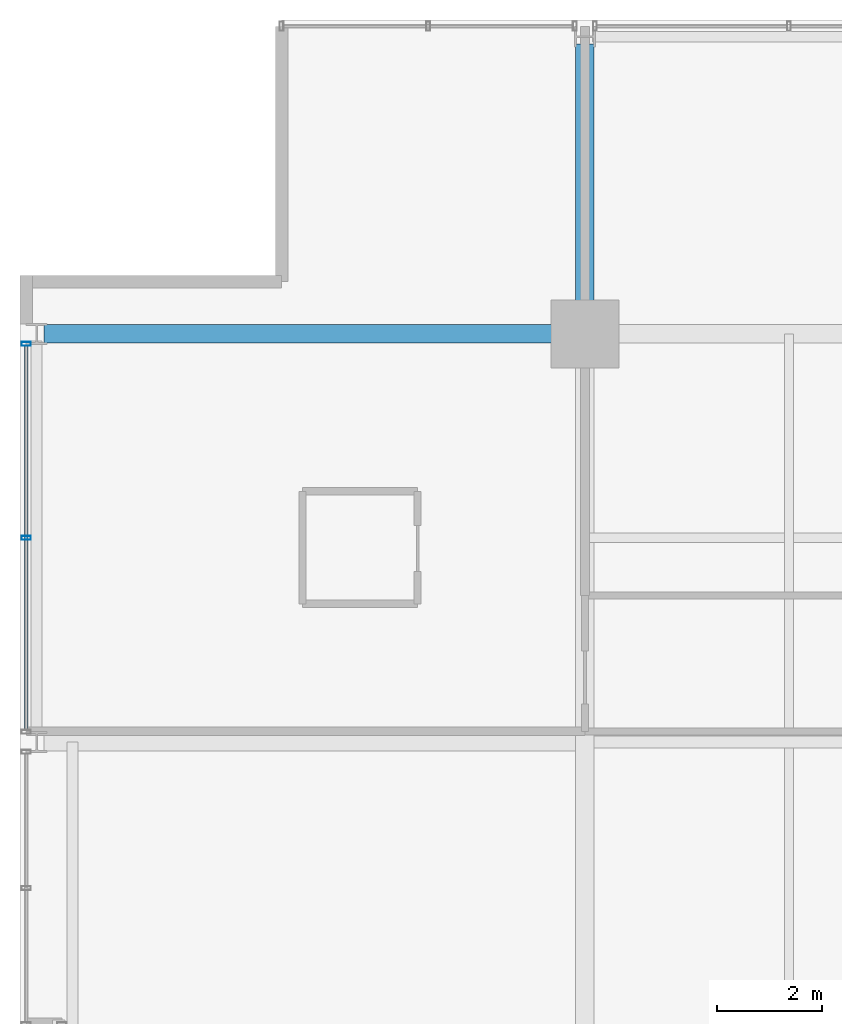
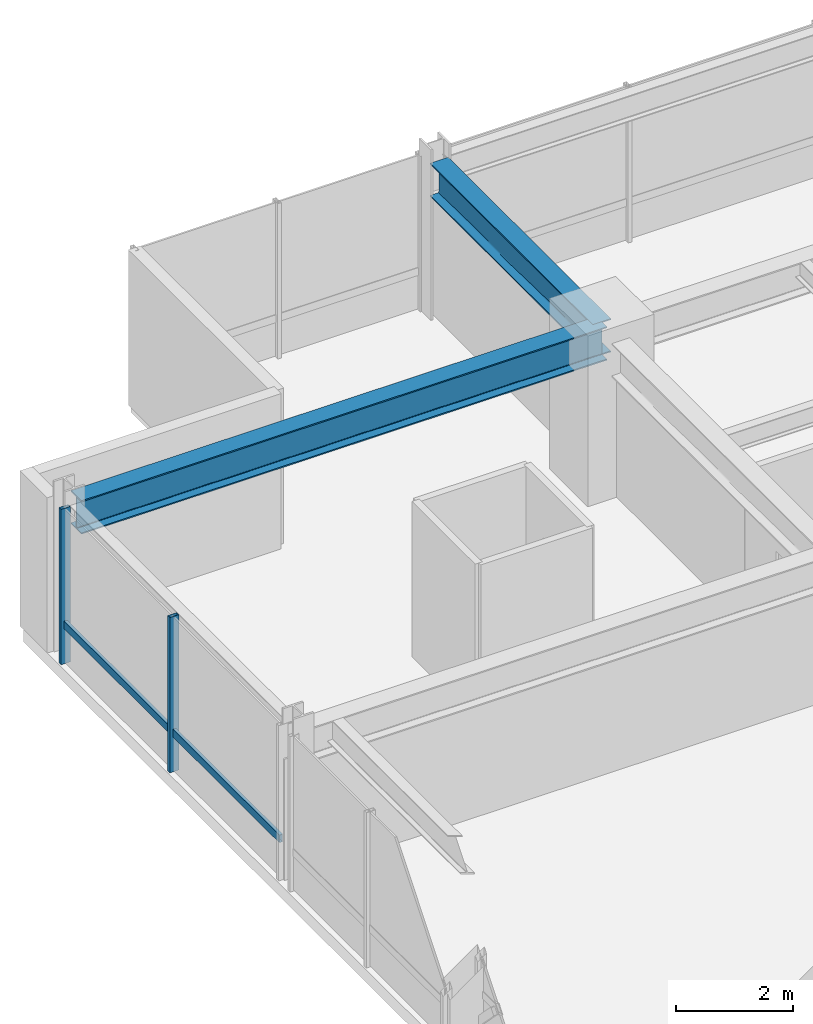
# One storey, part 18 of 33: 3 members, 2 beams, 1 element without a shape of its own.
"""IFC4 building model written with IfcOpenShell, lengths in metres."""

from ifc_helpers import new_model, si_unit, direction, frame, origin, origin_2d, place, context, subcontext, project, spatial, hollow_rectangle, i_section, extrude, material, layer, layer_set, material_profile, profile_set, type_object, element, aggregate, save


model = new_model("IFC4")

# Units and contexts
model_context = context("Model", 3, precision=1e-05, world=origin(), true_north=direction((0.0, 1.0)))
body_context = subcontext(model_context, "Body", "Model", "MODEL_VIEW")
ifc_project = project(units=[si_unit("LENGTHUNIT", "METRE"), si_unit("AREAUNIT", "SQUARE_METRE"), si_unit("VOLUMEUNIT", "CUBIC_METRE"), si_unit("PLANEANGLEUNIT", "RADIAN"), si_unit("MASSUNIT", "GRAM", prefix="KILO")], contexts=[model_context])

# Site, building, storey
site_placement = place(None, origin())
site = spatial("IfcSite", under=ifc_project, at=site_placement, CompositionType="ELEMENT")
building_placement = place(site_placement, origin())
building = spatial("IfcBuilding", under=site, at=building_placement, Name="Drelvath Grand Hotel", CompositionType="ELEMENT")
storey_placement = place(building_placement, frame((0.0, 0.0, 196.550048828125)))
storey = spatial("IfcBuildingStorey", under=building, at=storey_placement, Name="L51", CompositionType="ELEMENT", Elevation=196.550048828125)

# Curtain wall, members
ifc_material_1 = material(Name="Brushed Pale-Silver Anodised Aluminium Frame", Category="aluminium")
ifc_layer = layer(ifc_material_1, 0.199951171875)
ifc_layer_set = layer_set([ifc_layer], Name="Brushed Pale-Silver Anodised Aluminium Frame")
curtain_wall_type = type_object("IfcCurtainWallType", Name="Stick Curtain Wall CW-04 Brushed Silver Upper-Mid", PredefinedType="NOTDEFINED", material=ifc_layer_set)
curtain_wall_placement = place(storey_placement, origin())
curtain_wall = element("IfcCurtainWall", 1, at=curtain_wall_placement, inside=storey, type_object=curtain_wall_type, Name="L51 CW-04 Curtain Wall CW04-L51-WN2", PredefinedType="NOTDEFINED")
ifc_material_profile_1 = material_profile(ifc_material_1, hollow_rectangle(XDim=0.06494140625, YDim=0.159912109375, WallThickness=0.00390625, at=origin_2d()), Name="HSS160X65X4")
ifc_profile_set_1 = profile_set([ifc_material_profile_1], Name="Brushed Pale-Silver Anodised Aluminium Frame")
member_type_1 = type_object("IfcMemberType", Name="Curtain Wall Horizontal Transom CW-04 HSS160X65X4", PredefinedType="USERDEFINED", material=ifc_profile_set_1)
member_1_placement = place(storey_placement, frame((-26.8798828125, 35.631591796875, 0.807373046875), z_axis=(0.0, 1.0, 0.0), x_axis=(-1.0, 0.0, 0.0)))
member_1 = element("IfcMember", 2, at=member_1_placement, type_object=member_type_1, Name="CW04-L51-WN2 Sill Transom", ObjectType="TRANSOM", PredefinedType="USERDEFINED", context=body_context, shape_type="SweptSolid", body=[
    extrude(hollow_rectangle(XDim=0.06494140625, YDim=0.159912109375, WallThickness=0.00390625, at=origin_2d()), origin(), (0.0, 0.0, 1.0), 7.3369140625),
])
ifc_material_profile_2 = material_profile(ifc_material_1, hollow_rectangle(XDim=0.074951171875, YDim=0.179931640625, WallThickness=0.0048828125, at=origin_2d()), Name="HSS180X75X5")
ifc_profile_set_2 = profile_set([ifc_material_profile_2], Name="Brushed Pale-Silver Anodised Aluminium Frame")
member_type_2 = type_object("IfcMemberType", Name="Curtain Wall Vertical Mullion CW-04 HSS180X75X5", PredefinedType="MULLION", material=ifc_profile_set_2)
member_2_placement = place(storey_placement, frame((-26.8798828125, 39.300048828125, 0.0), z_axis=(0.0, 0.0, 1.0), x_axis=(0.0, 1.0, 0.0)))
member_2 = element("IfcMember", 3, at=member_2_placement, type_object=member_type_2, Name="CW04-L51-WN2 Mullion 2", PredefinedType="MULLION", context=body_context, shape_type="SweptSolid", body=[
    extrude(hollow_rectangle(XDim=0.074951171875, YDim=0.179931640625, WallThickness=0.0048828125, at=origin_2d()), origin(), (0.0, 0.0, 1.0), 3.22998046875),
])
member_3_placement = place(storey_placement, frame((-26.8798828125, 43.00830078125, 0.0), z_axis=(0.0, 0.0, 1.0), x_axis=(0.0, 1.0, 0.0)))
member_3 = element("IfcMember", 4, at=member_3_placement, type_object=member_type_2, Name="CW04-L51-WN2 Mullion 3", PredefinedType="MULLION", context=body_context, shape_type="SweptSolid", body=[
    extrude(hollow_rectangle(XDim=0.074951171875, YDim=0.179931640625, WallThickness=0.0048828125, at=origin_2d()), origin(), (0.0, 0.0, 1.0), 3.22998046875),
])
aggregate(curtain_wall, [member_2, member_3, member_1])

# Beams
ifc_material_2 = material(Name="Steel ASTM A992 Gr 50", Category="steel")
ifc_material_profile_3 = material_profile(ifc_material_2, i_section(OverallWidth=0.354736328125, OverallDepth=0.695556640625, WebThickness=0.015380859375, FlangeThickness=0.025146484375, FilletRadius=0.02392578125, at=origin_2d()), Name="W27X146")
ifc_profile_set_3 = profile_set([ifc_material_profile_3], Name="Steel ASTM A992 Gr 50")
beam_type = type_object("IfcBeamType", Name="Primary Floor Girder W27X146", PredefinedType="BEAM", material=ifc_profile_set_3)
beam_1_placement = place(storey_placement, frame((-26.5400390625, 43.199951171875, 2.88232421875), z_axis=(1.0, 0.0, 0.0), x_axis=(0.0, 1.0, 0.0)))
element("IfcBeam", 5, at=beam_1_placement, inside=storey, type_object=beam_type, Name="L51 West Grid Girder G", PredefinedType="BEAM", context=body_context, shape_type="SweptSolid", body=[
    extrude(i_section(OverallWidth=0.354736328125, OverallDepth=0.695556640625, WebThickness=0.015380859375, FlangeThickness=0.025146484375, FilletRadius=0.02392578125, at=origin_2d()), origin(), (0.0, 0.0, 1.0), 10.340087890625),
])
beam_2_placement = place(storey_placement, frame((-16.199951171875, 43.199951171875, 2.88232421875), z_axis=(0.0, 1.0, 0.0), x_axis=(-1.0, 0.0, 0.0)))
element("IfcBeam", 6, at=beam_2_placement, inside=storey, type_object=beam_type, Name="L51 North Grid Girder 3", PredefinedType="BEAM", context=body_context, shape_type="SweptSolid", body=[
    extrude(i_section(OverallWidth=0.354736328125, OverallDepth=0.695556640625, WebThickness=0.015380859375, FlangeThickness=0.025146484375, FilletRadius=0.02392578125, at=origin_2d()), origin(), (0.0, 0.0, 1.0), 5.5400390625),
])

save(model, "model.ifc")
